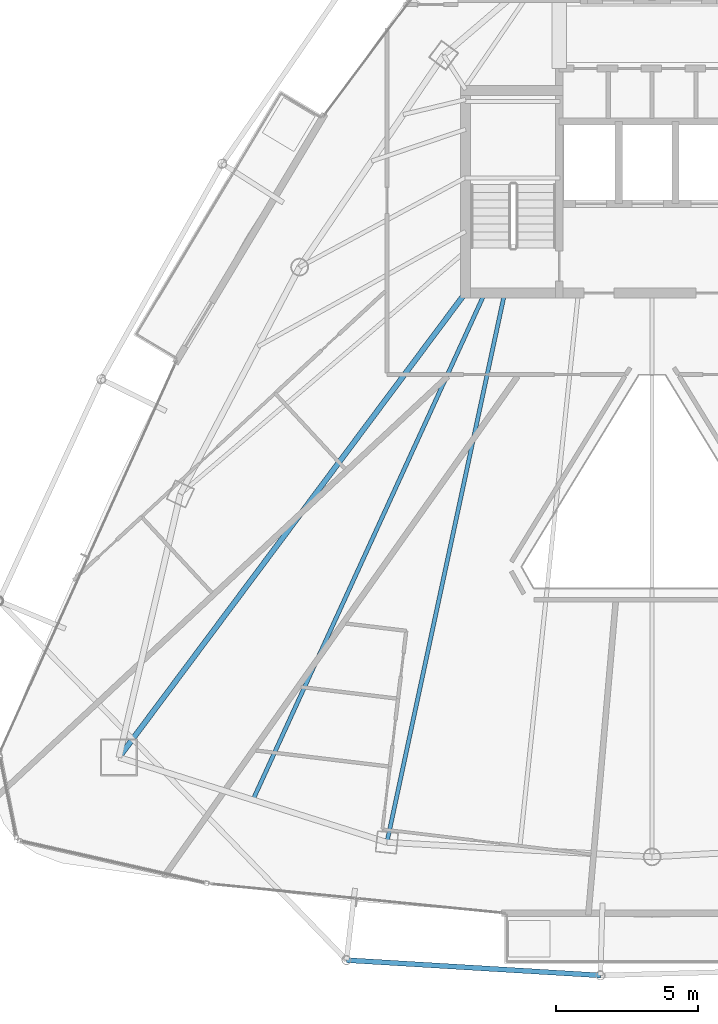
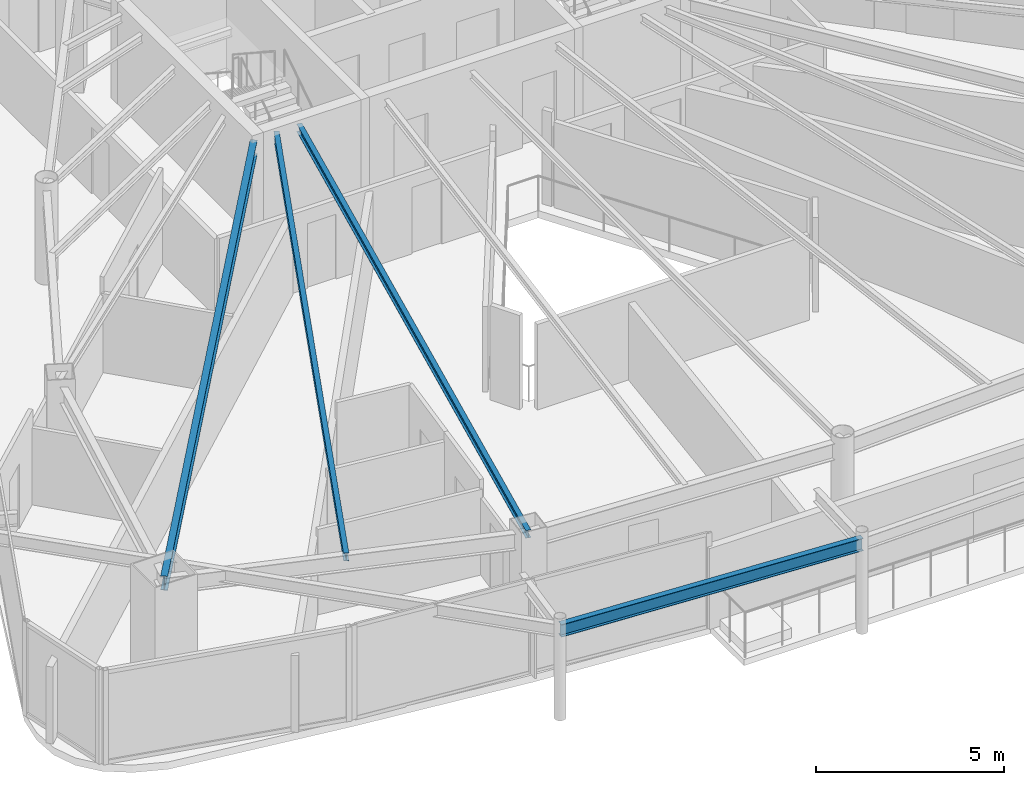
# One storey, part 6 of 32: 4 beams.
"""IFC4 building model written with IfcOpenShell, lengths in metres."""

from ifc_helpers import new_model, si_unit, direction, frame, origin, origin_2d, place, context, subcontext, project, spatial, i_section, extrude, material, material_profile, profile_set, type_object, element, save


model = new_model("IFC4")

# Units and contexts
model_context = context("Model", 3, precision=1e-05, world=origin(), true_north=direction((0.0, 1.0)))
body_context = subcontext(model_context, "Body", "Model", "MODEL_VIEW")
ifc_project = project(units=[si_unit("LENGTHUNIT", "METRE"), si_unit("AREAUNIT", "SQUARE_METRE"), si_unit("VOLUMEUNIT", "CUBIC_METRE"), si_unit("PLANEANGLEUNIT", "RADIAN"), si_unit("MASSUNIT", "GRAM", prefix="KILO")], contexts=[model_context])

# Site, building, storey
site_placement = place(None, origin())
site = spatial("IfcSite", under=ifc_project, at=site_placement, CompositionType="ELEMENT")
building_placement = place(site_placement, origin())
building = spatial("IfcBuilding", under=site, at=building_placement, Name="Orvanel Arch Residences", CompositionType="ELEMENT")
storey_placement = place(building_placement, frame((0.0, 0.0, 219.5)))
storey = spatial("IfcBuildingStorey", under=building, at=storey_placement, Name="L62", CompositionType="ELEMENT", Elevation=219.5)

# Beams
ifc_material = material(Name="Structural steel AS/NZS 3679.1 Grade 300 (300 MPa)", Category="steel")
ifc_material_profile_1 = material_profile(ifc_material, i_section(OverallWidth=0.19091796875, OverallDepth=0.4599609375, WebThickness=0.010009765625, FlangeThickness=0.01611328125, at=origin_2d()), Name="460UB82.1")
ifc_profile_set_1 = profile_set([ifc_material_profile_1], Name="Structural steel AS/NZS 3679.1 Grade 300 (300 MPa)")
beam_type_1 = type_object("IfcBeamType", Name="BG-460UB", PredefinedType="BEAM", material=ifc_profile_set_1)
beam_1_placement = place(storey_placement, frame((26.375, 26.675048828125, 2.830078125), z_axis=(-0.597893733742, -0.801575375839, 0.0), x_axis=(0.801575375839, -0.597893733742, 0.0)))
element("IfcBeam", 1, at=beam_1_placement, inside=storey, type_object=beam_type_1, Name="L62 South-West Radial Girder", PredefinedType="BEAM", context=body_context, shape_type="SweptSolid", body=[
    extrude(i_section(OverallWidth=0.19091796875, OverallDepth=0.4599609375, WebThickness=0.010009765625, FlangeThickness=0.01611328125, at=origin_2d()), origin(), (0.0, 0.0, 1.0), 20.36474609375),
])
ifc_material_profile_2 = material_profile(ifc_material, i_section(OverallWidth=0.14599609375, OverallDepth=0.251953125, WebThickness=0.006103515625, FlangeThickness=0.008544921875, at=origin_2d()), Name="250UB31.4")
ifc_profile_set_2 = profile_set([ifc_material_profile_2], Name="Structural steel AS/NZS 3679.1 Grade 300 (300 MPa)")
beam_type_2 = type_object("IfcBeamType", Name="BJ-250UB", PredefinedType="JOIST", material=ifc_profile_set_2)
beam_2_placement = place(storey_placement, frame((27.800048828125, 26.72509765625, 2.93408203125), z_axis=(-0.209547604985, -0.977798446125, 0.0), x_axis=(0.977798446125, -0.209547604985, 0.0)))
element("IfcBeam", 2, at=beam_2_placement, inside=storey, type_object=beam_type_2, Name="L62 SW Wing Floor Joist", PredefinedType="JOIST", context=body_context, shape_type="SweptSolid", body=[
    extrude(i_section(OverallWidth=0.14599609375, OverallDepth=0.251953125, WebThickness=0.006103515625, FlangeThickness=0.008544921875, at=origin_2d()), origin(), (0.0, 0.0, 1.0), 19.809814453125),
])
beam_3_placement = place(storey_placement, frame((27.10009765625, 26.72509765625, 2.93408203125), z_axis=(-0.416009574066, -0.909360233508, 0.0), x_axis=(0.909360233508, -0.416009574066, 0.0)))
element("IfcBeam", 3, at=beam_3_placement, inside=storey, type_object=beam_type_2, Name="L62 JADD1 Wing Floor Joist", PredefinedType="JOIST", context=body_context, shape_type="SweptSolid", body=[
    extrude(i_section(OverallWidth=0.14599609375, OverallDepth=0.251953125, WebThickness=0.006103515625, FlangeThickness=0.008544921875, at=origin_2d()), origin(), (0.0, 0.0, 1.0), 19.653564453125),
])
ifc_material_profile_3 = material_profile(ifc_material, i_section(OverallWidth=0.177978515625, OverallDepth=0.406005859375, WebThickness=0.0078125, FlangeThickness=0.0126953125, at=origin_2d()), Name="410UB59.7")
ifc_profile_set_3 = profile_set([ifc_material_profile_3], Name="Structural steel AS/NZS 3679.1 Grade 300 (300 MPa)")
beam_type_3 = type_object("IfcBeamType", Name="OB-410UB-EXT", PredefinedType="SPANDREL", material=ifc_profile_set_3)
beam_4_placement = place(storey_placement, frame((22.22412109375, 3.201904296875, 2.85693359375), z_axis=(0.998200775187, -0.059960090191, 0.0), x_axis=(0.059960090191, 0.998200775187, 0.0)))
element("IfcBeam", 4, at=beam_4_placement, inside=storey, type_object=beam_type_3, Name="L62 Outer Perimeter Floor Ring Beam 05", PredefinedType="SPANDREL", context=body_context, shape_type="SweptSolid", body=[
    extrude(i_section(OverallWidth=0.177978515625, OverallDepth=0.406005859375, WebThickness=0.0078125, FlangeThickness=0.0126953125, at=origin_2d()), origin(), (0.0, 0.0, 1.0), 8.969970703125),
])

save(model, "model.ifc")
